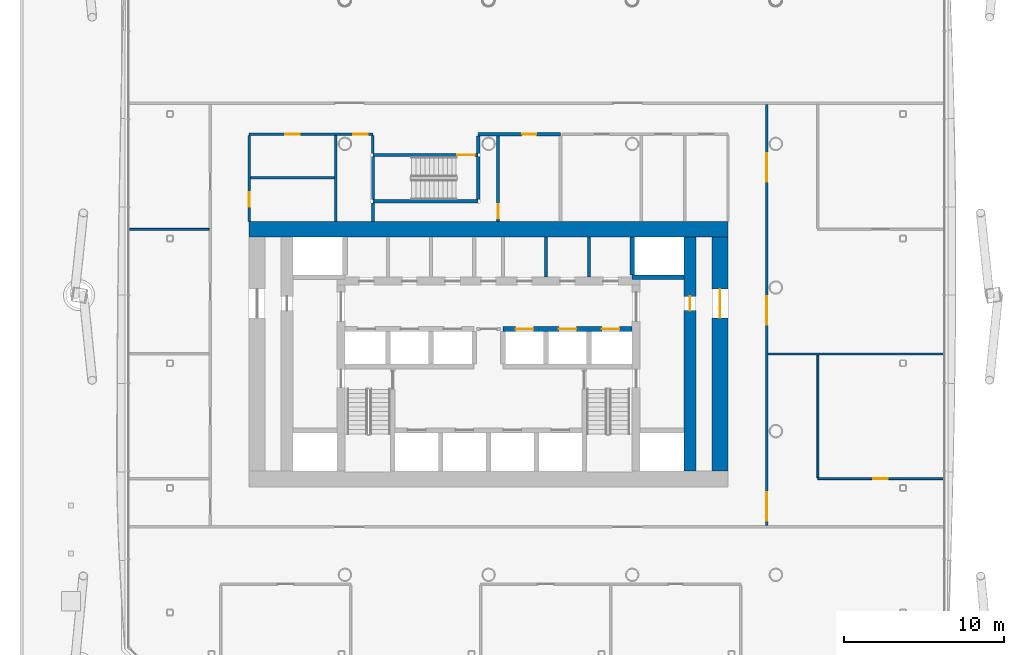
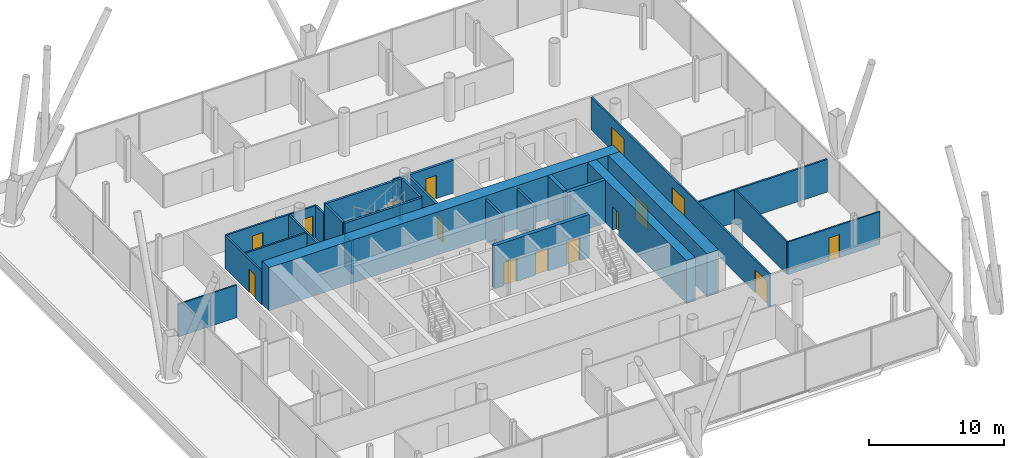
# One storey, part 15 of 23: 26 walls, 15 doors, 15 openings.
"""IFC4 building model written with IfcOpenShell, lengths in metres."""

import ifcopenshell
import ifcopenshell.guid

model = None  # the IFC model being written
_history = None  # IfcOwnerHistory: only IFC2X3 demands one
_inside = {}  # id of a spatial element -> (the spatial element, [elements in it])
_under = {}  # id of a project, library or spatial element -> (it, [spatial elements below it])
_declared = {}  # id of a project -> (the project, [libraries it declares])
_typed = {}  # id of a type object -> (the type object, [elements of that type])
_made_of = {}  # id of a material, layer set ... -> (it, [elements and type objects made of it])


def new_model(schema):
    """Start an empty IFC model of exactly this schema.

    Asked for "IFC4X3", IfcOpenShell would pick the latest addendum, in which some entities
    have other attributes; the version numbers below select the first issue.
    IFC2X3 requires an IfcOwnerHistory on every rooted entity: one is made here for all.
    """
    global model, _history
    if schema == "IFC4X3":
        model = ifcopenshell.file(schema_version=(4, 3, 0, 0))
    else:
        model = ifcopenshell.file(schema=schema)
    _inside.clear()
    _under.clear()
    _declared.clear()
    _typed.clear()
    _made_of.clear()
    _history = None
    if model.schema == "IFC2X3":
        org = make("IfcOrganization", Name="unknown")
        user = make(
            "IfcPersonAndOrganization",
            ThePerson=make("IfcPerson", FamilyName="unknown"),
            TheOrganization=org,
        )
        app = make(
            "IfcApplication",
            ApplicationDeveloper=org,
            Version="unknown",
            ApplicationFullName="unknown",
            ApplicationIdentifier="unknown",
        )
        _history = make(
            "IfcOwnerHistory",
            OwningUser=user,
            OwningApplication=app,
            ChangeAction="ADDED",
            CreationDate=0,
        )
    return model


def make(cls, **values):
    """One entity of the class cls with the attributes given. An attribute that is None is left unset."""
    return model.create_entity(
        cls, **{name: value for name, value in values.items() if value is not None}
    )


def rooted(cls, **values):
    """An entity with a GlobalId (a new one), such as an element, a storey or a relation."""
    return make(cls, GlobalId=ifcopenshell.guid.new(), OwnerHistory=_history, **values)


def si_unit(unit_type, name, prefix=None):
    """IfcSIUnit, for example si_unit("LENGTHUNIT", "METRE", prefix="MILLI")."""
    return make("IfcSIUnit", UnitType=unit_type, Prefix=prefix, Name=name)


def assignment(units):
    """IfcUnitAssignment: the units of a project."""
    return None if units is None else make("IfcUnitAssignment", Units=units)


def point(xyz):
    """IfcCartesianPoint."""
    return None if xyz is None else make("IfcCartesianPoint", Coordinates=xyz)


def direction(xyz):
    """IfcDirection."""
    return None if xyz is None else make("IfcDirection", DirectionRatios=xyz)


def frame(location, z_axis=None, x_axis=None):
    """IfcAxis2Placement3D, a coordinate frame: its origin and axes. An axis left out is left unset."""
    return make(
        "IfcAxis2Placement3D",
        Location=point(location),
        Axis=direction(z_axis),
        RefDirection=direction(x_axis),
    )


def frame_2d(location, x_axis=None):
    """IfcAxis2Placement2D, a coordinate frame in the plane: its origin and x axis."""
    return make(
        "IfcAxis2Placement2D", Location=point(location), RefDirection=direction(x_axis)
    )


def origin():
    """The frame at (0, 0, 0) with its axes left unset."""
    return frame((0.0, 0.0, 0.0))


def place(relative_to, where):
    """IfcLocalPlacement: puts the frame where relative to a parent placement (None: the world)."""
    return make(
        "IfcLocalPlacement", PlacementRelTo=relative_to, RelativePlacement=where
    )


def context(
    kind, dimensions, precision=None, world=None, true_north=None, identifier=None
):
    """IfcGeometricRepresentationContext, for example the 3D "Model" context."""
    return make(
        "IfcGeometricRepresentationContext",
        ContextIdentifier=identifier,
        ContextType=kind,
        CoordinateSpaceDimension=dimensions,
        Precision=precision,
        WorldCoordinateSystem=world,
        TrueNorth=true_north,
    )


def subcontext(parent, identifier, kind, view, scale=None):
    """IfcGeometricRepresentationSubContext, for example "Body" below "Model"."""
    return make(
        "IfcGeometricRepresentationSubContext",
        ContextIdentifier=identifier,
        ContextType=kind,
        ParentContext=parent,
        TargetScale=scale,
        TargetView=view,
    )


def project(units=None, contexts=None):
    """IfcProject with its units and contexts."""
    return rooted(
        "IfcProject",
        Name="project",
        RepresentationContexts=contexts,
        UnitsInContext=assignment(units),
    )


def spatial(cls, under=None, at=None, **own):
    """A site, building, storey or space (cls), placed at a placement, below another one or the project."""
    s = rooted(cls, ObjectPlacement=at, **own)
    if under is not None:
        _under.setdefault(under.id(), (under, []))[1].append(s)
    return s


def profile(cls, at=None, kind="AREA", **sizes):
    """A parametric profile (cls). Its sizes go by their IFC names, for example OverallWidth=200.0."""
    return make(cls, ProfileType=kind, Position=at, **sizes)


def rectangle(**sizes):
    """IfcRectangleProfileDef."""
    return profile("IfcRectangleProfileDef", **sizes)


def extrude(swept, where, along, depth):
    """IfcExtrudedAreaSolid: the profile swept, set in the frame where, extruded along a direction by depth."""
    return make(
        "IfcExtrudedAreaSolid",
        SweptArea=swept,
        Position=where,
        ExtrudedDirection=direction(along),
        Depth=depth,
    )


def shape(context_of_items, identifier, shape_type, items):
    """IfcShapeRepresentation: the items that make up one representation, for example the "Body"."""
    return make(
        "IfcShapeRepresentation",
        ContextOfItems=context_of_items,
        RepresentationIdentifier=identifier,
        RepresentationType=shape_type,
        Items=items,
    )


def material(Name=None, Category=None):
    """IfcMaterial."""
    return make("IfcMaterial", Name=Name, Category=Category)


def layer(
    of_material, thickness, ventilated=None, Name=None, Category=None, Priority=None
):
    """IfcMaterialLayer: one layer of a wall or slab, of a material (None: an air gap)."""
    return make(
        "IfcMaterialLayer",
        Material=of_material,
        LayerThickness=thickness,
        IsVentilated=ventilated,
        Name=Name,
        Category=Category,
        Priority=Priority,
    )


def layer_set(layers, Name=None):
    """IfcMaterialLayerSet."""
    return make("IfcMaterialLayerSet", MaterialLayers=layers, LayerSetName=Name)


def made_of(thing, what):
    """Note that an element or type object is made of a material, layer set ...; save() writes the relation."""
    if what is not None:
        _made_of.setdefault(what.id(), (what, []))[1].append(thing)
    return thing


def type_object(cls, material=None, **own):
    """A type object (cls), such as IfcWallType, which elements share."""
    return made_of(rooted(cls, **own), material)


def element(
    cls,
    number,
    at=None,
    inside=None,
    cuts=None,
    type_object=None,
    material=None,
    context=None,
    identifier="Body",
    shape_type=None,
    held_by="IfcProductDefinitionShape",
    body=None,
    shapes=None,
    **own,
):
    """One element of the class cls, such as IfcWall. Its Tag is "e" and its number.

    at: its placement. inside: the storey or other place that contains it. cuts: it is an
    opening in that element (IfcRelVoidsElement). A single representation is given by context,
    identifier, shape_type and body (its items); several are given by shapes. held_by: the class
    of the entity that holds the representations. save() writes the other relations.
    """
    e = rooted(cls, Tag="e%d" % number, ObjectPlacement=at, **own)
    if body is not None:
        shapes = [shape(context, identifier, shape_type, body)]
    if shapes is not None:
        e.Representation = make(held_by, Representations=shapes)
    if inside is not None:
        _inside.setdefault(inside.id(), (inside, []))[1].append(e)
    if cuts is not None:
        rooted(
            "IfcRelVoidsElement", RelatingBuildingElement=cuts, RelatedOpeningElement=e
        )
    if type_object is not None:
        _typed.setdefault(type_object.id(), (type_object, []))[1].append(e)
    return made_of(e, material)


def fill(opening, filler):
    """IfcRelFillsElement: the door or window that sits in an opening."""
    return rooted(
        "IfcRelFillsElement",
        RelatingOpeningElement=opening,
        RelatedBuildingElement=filler,
    )


def aggregate(whole, parts):
    """IfcRelAggregates: a whole, such as a stair, and the parts it consists of."""
    return rooted("IfcRelAggregates", RelatingObject=whole, RelatedObjects=parts)


def save(model, path):
    """Write the relations noted so far, then the file.

    IfcRelAggregates (storeys below a building ...), IfcRelContainedInSpatialStructure (elements
    in a storey), IfcRelDefinesByType, IfcRelAssociatesMaterial and IfcRelDeclares: one each for
    every whole, place, type object, material and project.
    """
    for whole, parts in _under.values():
        aggregate(whole, parts)
    for where, things in _inside.values():
        rooted(
            "IfcRelContainedInSpatialStructure",
            RelatedElements=things,
            RelatingStructure=where,
        )
    for kind, things in _typed.values():
        rooted("IfcRelDefinesByType", RelatedObjects=things, RelatingType=kind)
    for what, things in _made_of.values():
        rooted("IfcRelAssociatesMaterial", RelatedObjects=things, RelatingMaterial=what)
    for by, libraries in _declared.values():
        rooted("IfcRelDeclares", RelatingContext=by, RelatedDefinitions=libraries)
    model.write(path)


model = new_model("IFC4")

# Units and contexts
model_context = context("Model", 3, precision=1e-05, world=origin(), true_north=direction((0.0, 1.0)))
body_context = subcontext(model_context, "Body", "Model", "MODEL_VIEW")
ifc_project = project(units=[si_unit("LENGTHUNIT", "METRE"), si_unit("AREAUNIT", "SQUARE_METRE"), si_unit("VOLUMEUNIT", "CUBIC_METRE"), si_unit("PLANEANGLEUNIT", "RADIAN"), si_unit("MASSUNIT", "GRAM", prefix="KILO")], contexts=[model_context])

# Site, building, storey
site_placement = place(None, origin())
site = spatial("IfcSite", under=ifc_project, at=site_placement, CompositionType="ELEMENT")
building_placement = place(site_placement, origin())
building = spatial("IfcBuilding", under=site, at=building_placement, Name="Tskaro Facet Tower", CompositionType="ELEMENT")
storey_placement = place(building_placement, frame((0.0, 0.0, 62.10009765625)))
storey = spatial("IfcBuildingStorey", under=building, at=storey_placement, Name="L14", CompositionType="ELEMENT", Elevation=62.10009765625)

# Wall, openings, doors
ifc_material_1 = material(Name="Concrete C60/75", Category="concrete")
ifc_layer_1 = layer(ifc_material_1, 0.300048828125, Name="Concrete C60/75")
ifc_layer_set_1 = layer_set([ifc_layer_1], Name="Concrete C60/75")
wall_type_1 = type_object("IfcWallType", Name="CORE-SHAFT", PredefinedType="SHEAR", material=ifc_layer_set_1)
wall_1_placement = place(storey_placement, frame((0.89990234375, -2.60009765625, 0.0), z_axis=(0.0, 0.0, 1.0), x_axis=(1.0, 0.0, 0.0)))
wall_1 = element("IfcWall", 1, at=wall_1_placement, inside=storey, type_object=wall_type_1, Name="Shaft wall W015", PredefinedType="SHEAR", context=body_context, shape_type="SweptSolid", body=[
    extrude(rectangle(XDim=8.10009765625, YDim=0.300048828125, at=frame_2d((4.050048828125, 0.0))), origin(), (0.0, 0.0, 1.0), 3.89990234375),
])
opening_1_placement = place(wall_1_placement, frame((0.800048828125, 0.0, 0.0)))
opening_1 = element("IfcOpeningElement", 2, at=opening_1_placement, cuts=wall_1, Name="Opening LD-LR4", PredefinedType="OPENING", context=body_context, shape_type="SweptSolid", body=[
    extrude(rectangle(XDim=1.10009765625, YDim=2.10009765625, at=frame_2d((0.550048828125, 1.050048828125))), frame((0.0, 0.159912109375, 0.0), z_axis=(0.0, -1.0, 0.0), x_axis=(1.0, 0.0, 0.0)), (0.0, 0.0, 1.0), 0.320068359375),
])
opening_2_placement = place(wall_1_placement, frame((3.5, 0.0, 0.0)))
opening_2 = element("IfcOpeningElement", 3, at=opening_2_placement, cuts=wall_1, Name="Opening LD-LR5", PredefinedType="OPENING", context=body_context, shape_type="SweptSolid", body=[
    extrude(rectangle(XDim=1.10009765625, YDim=2.10009765625, at=frame_2d((0.550048828125, 1.050048828125))), frame((0.0, 0.159912109375, 0.0), z_axis=(0.0, -1.0, 0.0), x_axis=(1.0, 0.0, 0.0)), (0.0, 0.0, 1.0), 0.320068359375),
])
opening_3_placement = place(wall_1_placement, frame((6.199951171875, 0.0, 0.0)))
opening_3 = element("IfcOpeningElement", 4, at=opening_3_placement, cuts=wall_1, Name="Opening LD-LR6", PredefinedType="OPENING", context=body_context, shape_type="SweptSolid", body=[
    extrude(rectangle(XDim=1.10009765625, YDim=2.10009765625, at=frame_2d((0.550048828125, 1.050048828125))), frame((0.0, 0.159912109375, 0.0), z_axis=(0.0, -1.0, 0.0), x_axis=(1.0, 0.0, 0.0)), (0.0, 0.0, 1.0), 0.320068359375),
])
ifc_material_2 = material(Name="Stainless steel", Category="steel")
door_type_1 = type_object("IfcDoorType", Name="D-LANDING", OperationType="NOTDEFINED", PredefinedType="DOOR", material=ifc_material_2)
door_1_placement = place(opening_1_placement, origin())
door_1 = element("IfcDoor", 5, at=door_1_placement, inside=storey, type_object=door_type_1, Name="Landing door LR4", OperationType="DOUBLE_DOOR_SLIDING", OverallHeight=2.10009765625, OverallWidth=1.10009765625, PredefinedType="DOOR", context=body_context, shape_type="SweptSolid", body=[
    extrude(rectangle(XDim=1.10009765625, YDim=2.10009765625, at=frame_2d((0.550048828125, 1.050048828125))), frame((0.0, 0.02490234375, 0.0), z_axis=(0.0, -1.0, 0.0), x_axis=(1.0, 0.0, 0.0)), (0.0, 0.0, 1.0), 0.050048828125),
])
fill(opening_1, door_1)
door_2_placement = place(opening_2_placement, origin())
door_2 = element("IfcDoor", 6, at=door_2_placement, inside=storey, type_object=door_type_1, Name="Landing door LR5", OperationType="DOUBLE_DOOR_SLIDING", OverallHeight=2.10009765625, OverallWidth=1.10009765625, PredefinedType="DOOR", context=body_context, shape_type="SweptSolid", body=[
    extrude(rectangle(XDim=1.10009765625, YDim=2.10009765625, at=frame_2d((0.550048828125, 1.050048828125))), frame((0.0, 0.02490234375, 0.0), z_axis=(0.0, -1.0, 0.0), x_axis=(1.0, 0.0, 0.0)), (0.0, 0.0, 1.0), 0.050048828125),
])
fill(opening_2, door_2)
door_3_placement = place(opening_3_placement, origin())
door_3 = element("IfcDoor", 7, at=door_3_placement, inside=storey, type_object=door_type_1, Name="Landing door LR6", OperationType="DOUBLE_DOOR_SLIDING", OverallHeight=2.10009765625, OverallWidth=1.10009765625, PredefinedType="DOOR", context=body_context, shape_type="SweptSolid", body=[
    extrude(rectangle(XDim=1.10009765625, YDim=2.10009765625, at=frame_2d((0.550048828125, 1.050048828125))), frame((0.0, 0.02490234375, 0.0), z_axis=(0.0, -1.0, 0.0), x_axis=(1.0, 0.0, 0.0)), (0.0, 0.0, 1.0), 0.050048828125),
])
fill(opening_3, door_3)

# Walls
wall_2_placement = place(storey_placement, frame((12.25, 0.64990234375, 0.0), z_axis=(0.0, 0.0, 1.0), x_axis=(-1.0, 0.0, 0.0)))
element("IfcWall", 8, at=wall_2_placement, inside=storey, type_object=wall_type_1, Name="Shaft wall W017", PredefinedType="SHEAR", context=body_context, shape_type="SweptSolid", body=[
    extrude(rectangle(XDim=3.25, YDim=0.300048828125, at=frame_2d((1.625, 0.0))), origin(), (0.0, 0.0, 1.0), 3.89990234375),
])
wall_3_placement = place(storey_placement, frame((9.0, 0.800048828125, 0.0), z_axis=(0.0, 0.0, 1.0), x_axis=(0.0, 1.0, 0.0)))
element("IfcWall", 9, at=wall_3_placement, inside=storey, type_object=wall_type_1, Name="Shaft wall W064", PredefinedType="SHEAR", context=body_context, shape_type="SweptSolid", body=[
    extrude(rectangle(XDim=2.349853515625, YDim=0.300048828125, at=frame_2d((1.1748046875, 0.0))), origin(), (0.0, 0.0, 1.0), 3.89990234375),
])
ifc_material_3 = material(Name="Concrete C20/25", Category="concrete")
ifc_layer_2 = layer(ifc_material_3, 0.199951171875, Name="Concrete C20/25")
ifc_layer_set_2 = layer_set([ifc_layer_2], Name="Concrete C20/25")
wall_type_2 = type_object("IfcWallType", Name="CORE-WALL", PredefinedType="SOLIDWALL", material=ifc_layer_set_2)
for number, where, z_axis, x_axis, name in (
    (10, (3.60009765625, 0.64990234375, 0.0), (0.0, 0.0, 1.0), (0.0, 1.0, 0.0), "Core room wall W057"),
    (11, (6.300048828125, 0.64990234375, 0.0), (0.0, 0.0, 1.0), (0.0, 1.0, 0.0), "Core room wall W061"),
):
    element("IfcWall", number, at=place(storey_placement, frame(where, z_axis=z_axis, x_axis=x_axis)), inside=storey, type_object=wall_type_2, Name=name, PredefinedType="SOLIDWALL", context=body_context, shape_type="SweptSolid", body=[
        extrude(rectangle(XDim=2.5, YDim=0.199951171875, at=frame_2d((1.25, 0.0))), origin(), (0.0, 0.0, 1.0), 3.599853515625),
    ])
ifc_layer_3 = layer(ifc_material_1, 1.0, Name="Concrete C60/75")
ifc_layer_set_3 = layer_set([ifc_layer_3], Name="Concrete C60/75")
wall_type_3 = type_object("IfcWallType", Name="Core wall 1000", PredefinedType="SHEAR", material=ifc_layer_set_3)
wall_4_placement = place(storey_placement, frame((-15.0, 3.64990234375, 0.0), z_axis=(0.0, 0.0, 1.0), x_axis=(1.0, 0.0, 0.0)))
element("IfcWall", 12, at=wall_4_placement, inside=storey, type_object=wall_type_3, Name="Core wall CW-Z1N", PredefinedType="SHEAR", context=body_context, shape_type="SweptSolid", body=[
    extrude(rectangle(XDim=30.0, YDim=1.0, at=frame_2d((15.0, 0.0))), origin(), (0.0, 0.0, 1.0), 3.89990234375),
])

# Wall, opening, door
wall_5_placement = place(storey_placement, frame((14.5, -11.5, 0.0), z_axis=(0.0, 0.0, 1.0), x_axis=(0.0, 1.0, 0.0)))
wall_5 = element("IfcWall", 13, at=wall_5_placement, inside=storey, type_object=wall_type_3, Name="Core wall CW-Z1E", PredefinedType="SHEAR", context=body_context, shape_type="SweptSolid", body=[
    extrude(rectangle(XDim=14.64990234375, YDim=1.0, at=frame_2d((7.324951171875, 0.0))), origin(), (0.0, 0.0, 1.0), 3.89990234375),
])
opening_4_placement = place(wall_5_placement, frame((9.60009765625, 0.0, 0.0)))
opening_4 = element("IfcOpeningElement", 14, at=opening_4_placement, cuts=wall_5, Name="Opening T4-D18", PredefinedType="OPENING", context=body_context, shape_type="SweptSolid", body=[
    extrude(rectangle(XDim=1.800048828125, YDim=2.10009765625, at=frame_2d((0.89990234375, 1.050048828125))), frame((0.0, 0.510009765625, 0.0), z_axis=(0.0, -1.0, 0.0), x_axis=(1.0, 0.0, 0.0)), (0.0, 0.0, 1.0), 1.02001953125),
])
ifc_material_4 = material(Name="Steel", Category="steel")
door_type_2 = type_object("IfcDoorType", Name="D-CORE-PAIR", OperationType="NOTDEFINED", PredefinedType="DOOR", material=ifc_material_4)
door_4_placement = place(opening_4_placement, origin())
door_4 = element("IfcDoor", 15, at=door_4_placement, inside=storey, type_object=door_type_2, Name="Door T4-D18", OperationType="DOUBLE_DOOR_SINGLE_SWING", OverallHeight=2.10009765625, OverallWidth=1.800048828125, PredefinedType="DOOR", context=body_context, shape_type="SweptSolid", body=[
    extrude(rectangle(XDim=1.800048828125, YDim=2.10009765625, at=frame_2d((0.89990234375, 1.050048828125))), frame((0.0, 0.02490234375, 0.0), z_axis=(0.0, -1.0, 0.0), x_axis=(1.0, 0.0, 0.0)), (0.0, 0.0, 1.0), 0.050048828125),
])
fill(opening_4, door_4)

ifc_material_5 = material(Name="Concrete C50/60", Category="concrete")
ifc_layer_4 = layer(ifc_material_5, 0.75, Name="Concrete C50/60")
ifc_layer_set_4 = layer_set([ifc_layer_4], Name="Concrete C50/60")
wall_type_4 = type_object("IfcWallType", Name="Core wall 750", PredefinedType="SHEAR", material=ifc_layer_set_4)
wall_6_placement = place(storey_placement, frame((12.625, -11.5, 0.0), z_axis=(0.0, 0.0, 1.0), x_axis=(0.0, 1.0, 0.0)))
wall_6 = element("IfcWall", 16, at=wall_6_placement, inside=storey, type_object=wall_type_4, Name="Core wall CW-Z2E", PredefinedType="SHEAR", context=body_context, shape_type="SweptSolid", body=[
    extrude(rectangle(XDim=14.64990234375, YDim=0.75, at=frame_2d((7.324951171875, 0.0))), origin(), (0.0, 0.0, 1.0), 3.89990234375),
])
opening_5_placement = place(wall_6_placement, frame((10.050048828125, 0.0, 0.0)))
opening_5 = element("IfcOpeningElement", 17, at=opening_5_placement, cuts=wall_6, Name="Opening T4-D17", PredefinedType="OPENING", context=body_context, shape_type="SweptSolid", body=[
    extrude(rectangle(XDim=0.89990234375, YDim=2.10009765625, at=frame_2d((0.449951171875, 1.050048828125))), frame((0.0, 0.385009765625, 0.0), z_axis=(0.0, -1.0, 0.0), x_axis=(1.0, 0.0, 0.0)), (0.0, 0.0, 1.0), 0.77001953125),
])
ifc_material_6 = material(Name="Timber", Category="wood")
door_type_3 = type_object("IfcDoorType", Name="D-ROOM", OperationType="NOTDEFINED", PredefinedType="DOOR", material=ifc_material_6)
door_5_placement = place(opening_5_placement, origin())
door_5 = element("IfcDoor", 18, at=door_5_placement, inside=storey, type_object=door_type_3, Name="Door T4-D17", OperationType="SINGLE_SWING_LEFT", OverallHeight=2.10009765625, OverallWidth=0.89990234375, PredefinedType="DOOR", context=body_context, shape_type="SweptSolid", body=[
    extrude(rectangle(XDim=0.89990234375, YDim=2.10009765625, at=frame_2d((0.449951171875, 1.050048828125))), frame((0.0, 0.02490234375, 0.0), z_axis=(0.0, -1.0, 0.0), x_axis=(1.0, 0.0, 0.0)), (0.0, 0.0, 1.0), 0.050048828125),
])
fill(opening_5, door_5)

ifc_material_7 = material(Name="Gypsum board on steel studs", Category="steel")
ifc_layer_5 = layer(ifc_material_7, 0.125, Name="Gypsum board on steel studs")
ifc_layer_set_5 = layer_set([ifc_layer_5], Name="Gypsum board on steel studs")
wall_type_5 = type_object("IfcWallType", Name="PART", PredefinedType="PARTITIONING", material=ifc_layer_set_5)
wall_7_placement = place(storey_placement, frame((20.625, -11.972900390625, 0.0), z_axis=(0.0, 0.0, 1.0), x_axis=(1.0, 0.0, 0.0)))
wall_7 = element("IfcWall", 19, at=wall_7_placement, inside=storey, type_object=wall_type_5, Name="Partition W005", PredefinedType="PARTITIONING", context=body_context, shape_type="SweptSolid", body=[
    extrude(rectangle(XDim=7.884033203125, YDim=0.125, at=frame_2d((3.94189453125, 0.0))), origin(), (0.0, 0.0, 1.0), 2.9599609375),
])
opening_6_placement = place(wall_7_placement, frame((3.491943359375, 0.0, 0.0)))
opening_6 = element("IfcOpeningElement", 20, at=opening_6_placement, cuts=wall_7, Name="Opening T4-D08", PredefinedType="OPENING", context=body_context, shape_type="SweptSolid", body=[
    extrude(rectangle(XDim=0.89990234375, YDim=2.10009765625, at=frame_2d((0.449951171875, 1.050048828125))), frame((0.0, 0.072509765625, 0.0), z_axis=(0.0, -1.0, 0.0), x_axis=(1.0, 0.0, 0.0)), (0.0, 0.0, 1.0), 0.14501953125),
])
door_6_placement = place(opening_6_placement, origin())
door_6 = element("IfcDoor", 21, at=door_6_placement, inside=storey, type_object=door_type_3, Name="Door T4-D08", OperationType="SINGLE_SWING_LEFT", OverallHeight=2.10009765625, OverallWidth=0.89990234375, PredefinedType="DOOR", context=body_context, shape_type="SweptSolid", body=[
    extrude(rectangle(XDim=0.89990234375, YDim=2.10009765625, at=frame_2d((0.449951171875, 1.050048828125))), frame((0.0, 0.02490234375, 0.0), z_axis=(0.0, -1.0, 0.0), x_axis=(1.0, 0.0, 0.0)), (0.0, 0.0, 1.0), 0.050048828125),
])
fill(opening_6, door_6)

# Walls
wall_8_placement = place(storey_placement, frame((-22.509033203125, 3.64794921875, 0.0), z_axis=(0.0, 0.0, 1.0), x_axis=(1.0, 0.0, 0.0)))
element("IfcWall", 22, at=wall_8_placement, inside=storey, type_object=wall_type_5, Name="Partition W018", PredefinedType="PARTITIONING", context=body_context, shape_type="SweptSolid", body=[
    extrude(rectangle(XDim=5.009033203125, YDim=0.125, at=frame_2d((2.50439453125, 0.0))), origin(), (0.0, 0.0, 1.0), 2.9599609375),
])
wall_9_placement = place(storey_placement, frame((20.625, -11.910400390625, 0.0), z_axis=(0.0, 0.0, 1.0), x_axis=(0.0, 1.0, 0.0)))
element("IfcWall", 23, at=wall_9_placement, inside=storey, type_object=wall_type_5, Name="Partition W071", PredefinedType="PARTITIONING", context=body_context, shape_type="SweptSolid", body=[
    extrude(rectangle(XDim=7.67333984375, YDim=0.125, at=frame_2d((3.836669921875, 0.0))), origin(), (0.0, 0.0, 1.0), 2.9599609375),
])
ifc_layer_6 = layer(ifc_material_7, 0.14990234375, Name="Gypsum board on steel studs")
ifc_layer_set_6 = layer_set([ifc_layer_6], Name="Gypsum board on steel studs")
wall_type_6 = type_object("IfcWallType", Name="PART-CORR", PredefinedType="PARTITIONING", material=ifc_layer_set_6)
wall_10_placement = place(storey_placement, frame((17.5, -4.162109375, 0.0), z_axis=(0.0, 0.0, 1.0), x_axis=(1.0, 0.0, 0.0)))
element("IfcWall", 24, at=wall_10_placement, inside=storey, type_object=wall_type_6, Name="Corridor wall W012", PredefinedType="PARTITIONING", context=body_context, shape_type="SweptSolid", body=[
    extrude(rectangle(XDim=11.009033203125, YDim=0.14990234375, at=frame_2d((5.50439453125, 0.0))), origin(), (0.0, 0.0, 1.0), 2.9599609375),
])
wall_11_placement = place(storey_placement, frame((-14.925048828125, 6.8779296875, 0.0), z_axis=(0.0, 0.0, 1.0), x_axis=(1.0, 0.0, 0.0)))
element("IfcWall", 25, at=wall_11_placement, inside=storey, type_object=wall_type_6, Name="Corridor wall W021", PredefinedType="PARTITIONING", context=body_context, shape_type="SweptSolid", body=[
    extrude(rectangle(XDim=5.275146484375, YDim=0.14990234375, at=frame_2d((2.6376953125, 0.0))), origin(), (0.0, 0.0, 1.0), 2.9599609375),
])

# Wall, openings, doors
wall_12_placement = place(storey_placement, frame((-7.25, 9.60498046875, 0.0), z_axis=(0.0, 0.0, 1.0), x_axis=(-1.0, 0.0, 0.0)))
wall_12 = element("IfcWall", 26, at=wall_12_placement, inside=storey, type_object=wall_type_6, Name="Corridor wall W023", PredefinedType="PARTITIONING", context=body_context, shape_type="SweptSolid", body=[
    extrude(rectangle(XDim=7.75, YDim=0.14990234375, at=frame_2d((3.875, 0.0))), origin(), (0.0, 0.0, 1.0), 2.9599609375),
])
opening_7_placement = place(wall_12_placement, frame((0.3125, 0.0, 0.0)))
opening_7 = element("IfcOpeningElement", 27, at=opening_7_placement, cuts=wall_12, Name="Opening T4-D35", PredefinedType="OPENING", context=body_context, shape_type="SweptSolid", body=[
    extrude(rectangle(XDim=0.89990234375, YDim=2.10009765625, at=frame_2d((0.449951171875, 1.050048828125))), frame((0.0, 0.0849609375, 0.0), z_axis=(0.0, -1.0, 0.0), x_axis=(1.0, 0.0, 0.0)), (0.0, 0.0, 1.0), 0.169921875),
])
opening_8_placement = place(wall_12_placement, frame((4.58740234375, 0.0, 0.0)))
opening_8 = element("IfcOpeningElement", 28, at=opening_8_placement, cuts=wall_12, Name="Opening T4-D34", PredefinedType="OPENING", context=body_context, shape_type="SweptSolid", body=[
    extrude(rectangle(XDim=0.89990234375, YDim=2.10009765625, at=frame_2d((0.449951171875, 1.050048828125))), frame((0.0, 0.0849609375, 0.0), z_axis=(0.0, -1.0, 0.0), x_axis=(1.0, 0.0, 0.0)), (0.0, 0.0, 1.0), 0.169921875),
])
door_type_4 = type_object("IfcDoorType", Name="D-RISER", OperationType="NOTDEFINED", PredefinedType="DOOR", material=ifc_material_4)
door_7_placement = place(opening_7_placement, origin())
door_7 = element("IfcDoor", 29, at=door_7_placement, inside=storey, type_object=door_type_4, Name="Door T4-D35", OperationType="SINGLE_SWING_RIGHT", OverallHeight=2.10009765625, OverallWidth=0.89990234375, PredefinedType="DOOR", context=body_context, shape_type="SweptSolid", body=[
    extrude(rectangle(XDim=0.89990234375, YDim=2.10009765625, at=frame_2d((0.449951171875, 1.050048828125))), frame((0.0, 0.02490234375, 0.0), z_axis=(0.0, -1.0, 0.0), x_axis=(1.0, 0.0, 0.0)), (0.0, 0.0, 1.0), 0.050048828125),
])
fill(opening_7, door_7)
door_8_placement = place(opening_8_placement, origin())
door_8 = element("IfcDoor", 30, at=door_8_placement, inside=storey, type_object=door_type_3, Name="Door T4-D34", OperationType="SINGLE_SWING_RIGHT", OverallHeight=2.10009765625, OverallWidth=0.89990234375, PredefinedType="DOOR", context=body_context, shape_type="SweptSolid", body=[
    extrude(rectangle(XDim=0.89990234375, YDim=2.10009765625, at=frame_2d((0.449951171875, 1.050048828125))), frame((0.0, 0.02490234375, 0.0), z_axis=(0.0, -1.0, 0.0), x_axis=(1.0, 0.0, 0.0)), (0.0, 0.0, 1.0), 0.050048828125),
])
fill(opening_8, door_8)

# Wall, opening, door
wall_13_placement = place(storey_placement, frame((-15.0, 9.530029296875, 0.0), z_axis=(0.0, 0.0, 1.0), x_axis=(0.0, -1.0, 0.0)))
wall_13 = element("IfcWall", 31, at=wall_13_placement, inside=storey, type_object=wall_type_6, Name="Corridor wall W031", PredefinedType="PARTITIONING", context=body_context, shape_type="SweptSolid", body=[
    extrude(rectangle(XDim=5.380126953125, YDim=0.14990234375, at=frame_2d((2.68994140625, 0.0))), origin(), (0.0, 0.0, 1.0), 2.9599609375),
])
opening_9_placement = place(wall_13_placement, frame((3.56591796875, 0.0, 0.0)))
opening_9 = element("IfcOpeningElement", 32, at=opening_9_placement, cuts=wall_13, Name="Opening T4-D31", PredefinedType="OPENING", context=body_context, shape_type="SweptSolid", body=[
    extrude(rectangle(XDim=0.89990234375, YDim=2.10009765625, at=frame_2d((0.449951171875, 1.050048828125))), frame((0.0, 0.0849609375, 0.0), z_axis=(0.0, -1.0, 0.0), x_axis=(1.0, 0.0, 0.0)), (0.0, 0.0, 1.0), 0.169921875),
])
door_9_placement = place(opening_9_placement, origin())
door_9 = element("IfcDoor", 33, at=door_9_placement, inside=storey, type_object=door_type_3, Name="Door T4-D31", OperationType="SINGLE_SWING_RIGHT", OverallHeight=2.10009765625, OverallWidth=0.89990234375, PredefinedType="DOOR", context=body_context, shape_type="SweptSolid", body=[
    extrude(rectangle(XDim=0.89990234375, YDim=2.10009765625, at=frame_2d((0.449951171875, 1.050048828125))), frame((0.0, 0.02490234375, 0.0), z_axis=(0.0, -1.0, 0.0), x_axis=(1.0, 0.0, 0.0)), (0.0, 0.0, 1.0), 0.050048828125),
])
fill(opening_9, door_9)

# Walls
wall_14_placement = place(storey_placement, frame((-9.574951171875, 4.14990234375, 0.0), z_axis=(0.0, 0.0, 1.0), x_axis=(0.0, 1.0, 0.0)))
element("IfcWall", 34, at=wall_14_placement, inside=storey, type_object=wall_type_6, Name="Corridor wall W032", PredefinedType="PARTITIONING", context=body_context, shape_type="SweptSolid", body=[
    extrude(rectangle(XDim=5.380126953125, YDim=0.14990234375, at=frame_2d((2.68994140625, 0.0))), origin(), (0.0, 0.0, 1.0), 2.9599609375),
])
wall_15_placement = place(storey_placement, frame((-7.25, 8.39990234375, 0.0), z_axis=(0.0, 0.0, 1.0), x_axis=(0.0, 1.0, 0.0)))
element("IfcWall", 35, at=wall_15_placement, inside=storey, type_object=wall_type_6, Name="Corridor wall W038", PredefinedType="PARTITIONING", context=body_context, shape_type="SweptSolid", body=[
    extrude(rectangle(XDim=1.130126953125, YDim=0.14990234375, at=frame_2d((0.56494140625, 0.0))), origin(), (0.0, 0.0, 1.0), 2.9599609375),
])

# Wall, openings, doors
wall_16_placement = place(storey_placement, frame((17.425048828125, -14.925048828125, 0.0), z_axis=(0.0, 0.0, 1.0), x_axis=(0.0, 1.0, 0.0)))
wall_16 = element("IfcWall", 36, at=wall_16_placement, inside=storey, type_object=wall_type_6, Name="Corridor wall W070", PredefinedType="PARTITIONING", context=body_context, shape_type="SweptSolid", body=[
    extrude(rectangle(XDim=26.405029296875, YDim=0.14990234375, at=frame_2d((13.20263671875, 0.0))), origin(), (0.0, 0.0, 1.0), 2.9599609375),
])
opening_10_placement = place(wall_16_placement, frame((0.3125, 0.0, 0.0)))
opening_10 = element("IfcOpeningElement", 37, at=opening_10_placement, cuts=wall_16, Name="Opening T4-D07", PredefinedType="OPENING", context=body_context, shape_type="SweptSolid", body=[
    extrude(rectangle(XDim=1.800048828125, YDim=2.10009765625, at=frame_2d((0.89990234375, 1.050048828125))), frame((0.0, 0.0849609375, 0.0), z_axis=(0.0, -1.0, 0.0), x_axis=(1.0, 0.0, 0.0)), (0.0, 0.0, 1.0), 0.169921875),
])
opening_11_placement = place(wall_16_placement, frame((12.592041015625, 0.0, 0.0)))
opening_11 = element("IfcOpeningElement", 38, at=opening_11_placement, cuts=wall_16, Name="Opening T4-D12", PredefinedType="OPENING", context=body_context, shape_type="SweptSolid", body=[
    extrude(rectangle(XDim=1.800048828125, YDim=2.10009765625, at=frame_2d((0.89990234375, 1.050048828125))), frame((0.0, 0.0849609375, 0.0), z_axis=(0.0, -1.0, 0.0), x_axis=(1.0, 0.0, 0.0)), (0.0, 0.0, 1.0), 0.169921875),
])
opening_12_placement = place(wall_16_placement, frame((21.551025390625, 0.0, 0.0)))
opening_12 = element("IfcOpeningElement", 39, at=opening_12_placement, cuts=wall_16, Name="Opening T4-D33", PredefinedType="OPENING", context=body_context, shape_type="SweptSolid", body=[
    extrude(rectangle(XDim=1.800048828125, YDim=2.10009765625, at=frame_2d((0.89990234375, 1.050048828125))), frame((0.0, 0.0849609375, 0.0), z_axis=(0.0, -1.0, 0.0), x_axis=(1.0, 0.0, 0.0)), (0.0, 0.0, 1.0), 0.169921875),
])
ifc_material_8 = material(Name="Glass", Category="glass")
door_type_5 = type_object("IfcDoorType", Name="D-ENTRY-PAIR", OperationType="NOTDEFINED", PredefinedType="DOOR", material=ifc_material_8)
door_10_placement = place(opening_10_placement, origin())
door_10 = element("IfcDoor", 40, at=door_10_placement, inside=storey, type_object=door_type_5, Name="Door T4-D07", OperationType="DOUBLE_DOOR_SINGLE_SWING", OverallHeight=2.10009765625, OverallWidth=1.800048828125, PredefinedType="DOOR", context=body_context, shape_type="SweptSolid", body=[
    extrude(rectangle(XDim=1.800048828125, YDim=2.10009765625, at=frame_2d((0.89990234375, 1.050048828125))), frame((0.0, 0.02490234375, 0.0), z_axis=(0.0, -1.0, 0.0), x_axis=(1.0, 0.0, 0.0)), (0.0, 0.0, 1.0), 0.050048828125),
])
fill(opening_10, door_10)
door_11_placement = place(opening_11_placement, origin())
door_11 = element("IfcDoor", 41, at=door_11_placement, inside=storey, type_object=door_type_5, Name="Door T4-D12", OperationType="DOUBLE_DOOR_SINGLE_SWING", OverallHeight=2.10009765625, OverallWidth=1.800048828125, PredefinedType="DOOR", context=body_context, shape_type="SweptSolid", body=[
    extrude(rectangle(XDim=1.800048828125, YDim=2.10009765625, at=frame_2d((0.89990234375, 1.050048828125))), frame((0.0, 0.02490234375, 0.0), z_axis=(0.0, -1.0, 0.0), x_axis=(1.0, 0.0, 0.0)), (0.0, 0.0, 1.0), 0.050048828125),
])
fill(opening_11, door_11)
door_12_placement = place(opening_12_placement, origin())
door_12 = element("IfcDoor", 42, at=door_12_placement, inside=storey, type_object=door_type_5, Name="Door T4-D33", OperationType="DOUBLE_DOOR_SINGLE_SWING", OverallHeight=2.10009765625, OverallWidth=1.800048828125, PredefinedType="DOOR", context=body_context, shape_type="SweptSolid", body=[
    extrude(rectangle(XDim=1.800048828125, YDim=2.10009765625, at=frame_2d((0.89990234375, 1.050048828125))), frame((0.0, 0.02490234375, 0.0), z_axis=(0.0, -1.0, 0.0), x_axis=(1.0, 0.0, 0.0)), (0.0, 0.0, 1.0), 0.050048828125),
])
fill(opening_12, door_12)

# Wall
ifc_layer_7 = layer(ifc_material_1, 0.199951171875, Name="Concrete C60/75")
ifc_layer_set_7 = layer_set([ifc_layer_7], Name="Concrete C60/75")
wall_type_7 = type_object("IfcWallType", Name="STAIR-WALL", PredefinedType="SHEAR", material=ifc_layer_set_7)
wall_17_placement = place(storey_placement, frame((-7.25, 5.39990234375, 0.0), z_axis=(0.0, 0.0, 1.0), x_axis=(1.0, 0.0, 0.0)))
element("IfcWall", 43, at=wall_17_placement, inside=storey, type_object=wall_type_7, Name="Stair wall W020", PredefinedType="SHEAR", context=body_context, shape_type="SweptSolid", body=[
    extrude(rectangle(XDim=6.60009765625, YDim=0.199951171875, at=frame_2d((3.300048828125, 0.0))), origin(), (0.0, 0.0, 1.0), 3.89990234375),
])

# Wall, opening, door
wall_18_placement = place(storey_placement, frame((-0.64990234375, 8.300048828125, 0.0), z_axis=(0.0, 0.0, 1.0), x_axis=(-1.0, 0.0, 0.0)))
wall_18 = element("IfcWall", 44, at=wall_18_placement, inside=storey, type_object=wall_type_7, Name="Stair wall W022", PredefinedType="SHEAR", context=body_context, shape_type="SweptSolid", body=[
    extrude(rectangle(XDim=6.60009765625, YDim=0.199951171875, at=frame_2d((3.300048828125, 0.0))), origin(), (0.0, 0.0, 1.0), 3.89990234375),
])
opening_13_placement = place(wall_18_placement, frame((0.199951171875, 0.0, 0.0)))
opening_13 = element("IfcOpeningElement", 45, at=opening_13_placement, cuts=wall_18, Name="Opening ST-3-D1", PredefinedType="OPENING", context=body_context, shape_type="SweptSolid", body=[
    extrude(rectangle(XDim=1.10009765625, YDim=2.10009765625, at=frame_2d((0.550048828125, 1.050048828125))), frame((0.0, 0.10986328125, 0.0), z_axis=(0.0, -1.0, 0.0), x_axis=(1.0, 0.0, 0.0)), (0.0, 0.0, 1.0), 0.219970703125),
])
door_type_6 = type_object("IfcDoorType", Name="D-STAIR", OperationType="NOTDEFINED", PredefinedType="DOOR", material=ifc_material_4)
door_13_placement = place(opening_13_placement, origin())
door_13 = element("IfcDoor", 46, at=door_13_placement, inside=storey, type_object=door_type_6, Name="Stair door 3", OperationType="SINGLE_SWING_RIGHT", OverallHeight=2.10009765625, OverallWidth=1.10009765625, PredefinedType="DOOR", context=body_context, shape_type="SweptSolid", body=[
    extrude(rectangle(XDim=1.10009765625, YDim=2.10009765625, at=frame_2d((0.550048828125, 1.050048828125))), frame((0.0, 0.02490234375, 0.0), z_axis=(0.0, -1.0, 0.0), x_axis=(1.0, 0.0, 0.0)), (0.0, 0.0, 1.0), 0.050048828125),
])
fill(opening_13, door_13)

# Walls
for number, where, z_axis, x_axis, name in (
    (47, (-7.25, 5.5, 0.0), (0.0, 0.0, 1.0), (0.0, 1.0, 0.0), "Stair wall W037"),
    (48, (-0.64990234375, 5.5, 0.0), (0.0, 0.0, 1.0), (0.0, 1.0, 0.0), "Stair wall W047"),
):
    element("IfcWall", number, at=place(storey_placement, frame(where, z_axis=z_axis, x_axis=x_axis)), inside=storey, type_object=wall_type_7, Name=name, PredefinedType="SHEAR", context=body_context, shape_type="SweptSolid", body=[
        extrude(rectangle(XDim=2.699951171875, YDim=0.199951171875, at=frame_2d((1.35009765625, 0.0))), origin(), (0.0, 0.0, 1.0), 3.89990234375),
    ])

# Wall, opening, door
ifc_layer_8 = layer(ifc_material_3, 0.199951171875, Name="Concrete C20/25")
ifc_layer_set_8 = layer_set([ifc_layer_8], Name="Concrete C20/25")
wall_type_8 = type_object("IfcWallType", Name="WALL-RISER", PredefinedType="SOLIDWALL", material=ifc_layer_set_8)
wall_19_placement = place(storey_placement, frame((4.5, 9.60498046875, 0.0), z_axis=(0.0, 0.0, 1.0), x_axis=(-1.0, 0.0, 0.0)))
wall_19 = element("IfcWall", 49, at=wall_19_placement, inside=storey, type_object=wall_type_8, Name="Riser room wall W024", PredefinedType="SOLIDWALL", context=body_context, shape_type="SweptSolid", body=[
    extrude(rectangle(XDim=5.14990234375, YDim=0.199951171875, at=frame_2d((2.574951171875, 0.0))), origin(), (0.0, 0.0, 1.0), 2.9599609375),
])
opening_14_placement = place(wall_19_placement, frame((1.5, 0.0, 0.0)))
opening_14 = element("IfcOpeningElement", 50, at=opening_14_placement, cuts=wall_19, Name="Opening T4-D36", PredefinedType="OPENING", context=body_context, shape_type="SweptSolid", body=[
    extrude(rectangle(XDim=0.89990234375, YDim=2.10009765625, at=frame_2d((0.449951171875, 1.050048828125))), frame((0.0, 0.10986328125, 0.0), z_axis=(0.0, -1.0, 0.0), x_axis=(1.0, 0.0, 0.0)), (0.0, 0.0, 1.0), 0.219970703125),
])
door_14_placement = place(opening_14_placement, origin())
door_14 = element("IfcDoor", 51, at=door_14_placement, inside=storey, type_object=door_type_4, Name="Door T4-D36", OperationType="SINGLE_SWING_RIGHT", OverallHeight=2.10009765625, OverallWidth=0.89990234375, PredefinedType="DOOR", context=body_context, shape_type="SweptSolid", body=[
    extrude(rectangle(XDim=0.89990234375, YDim=2.10009765625, at=frame_2d((0.449951171875, 1.050048828125))), frame((0.0, 0.02490234375, 0.0), z_axis=(0.0, -1.0, 0.0), x_axis=(1.0, 0.0, 0.0)), (0.0, 0.0, 1.0), 0.050048828125),
])
fill(opening_14, door_14)

# Walls
wall_20_placement = place(storey_placement, frame((-7.25, 4.14990234375, 0.0), z_axis=(0.0, 0.0, 1.0), x_axis=(0.0, 1.0, 0.0)))
element("IfcWall", 52, at=wall_20_placement, inside=storey, type_object=wall_type_8, Name="Riser room wall W036", PredefinedType="SOLIDWALL", context=body_context, shape_type="SweptSolid", body=[
    extrude(rectangle(XDim=1.150146484375, YDim=0.199951171875, at=frame_2d((0.5751953125, 0.0))), origin(), (0.0, 0.0, 1.0), 2.9599609375),
])
wall_21_placement = place(storey_placement, frame((-0.64990234375, 8.39990234375, 0.0), z_axis=(0.0, 0.0, 1.0), x_axis=(0.0, 1.0, 0.0)))
element("IfcWall", 53, at=wall_21_placement, inside=storey, type_object=wall_type_8, Name="Riser room wall W048", PredefinedType="SOLIDWALL", context=body_context, shape_type="SweptSolid", body=[
    extrude(rectangle(XDim=1.10498046875, YDim=0.199951171875, at=frame_2d((0.552490234375, 0.0))), origin(), (0.0, 0.0, 1.0), 2.9599609375),
])

# Wall, opening, door
wall_22_placement = place(storey_placement, frame((0.60009765625, 4.14990234375, 0.0), z_axis=(0.0, 0.0, 1.0), x_axis=(0.0, 1.0, 0.0)))
wall_22 = element("IfcWall", 54, at=wall_22_placement, inside=storey, type_object=wall_type_8, Name="Riser room wall W052", PredefinedType="SOLIDWALL", context=body_context, shape_type="SweptSolid", body=[
    extrude(rectangle(XDim=5.35498046875, YDim=0.199951171875, at=frame_2d((2.677490234375, 0.0))), origin(), (0.0, 0.0, 1.0), 2.9599609375),
])
opening_15_placement = place(wall_22_placement, frame((0.175048828125, 0.0, 0.0)))
opening_15 = element("IfcOpeningElement", 55, at=opening_15_placement, cuts=wall_22, Name="Opening T4-D30", PredefinedType="OPENING", context=body_context, shape_type="SweptSolid", body=[
    extrude(rectangle(XDim=0.89990234375, YDim=2.10009765625, at=frame_2d((0.449951171875, 1.050048828125))), frame((0.0, 0.10986328125, 0.0), z_axis=(0.0, -1.0, 0.0), x_axis=(1.0, 0.0, 0.0)), (0.0, 0.0, 1.0), 0.219970703125),
])
door_15_placement = place(opening_15_placement, origin())
door_15 = element("IfcDoor", 56, at=door_15_placement, inside=storey, type_object=door_type_4, Name="Door T4-D30", OperationType="SINGLE_SWING_LEFT", OverallHeight=2.10009765625, OverallWidth=0.89990234375, PredefinedType="DOOR", context=body_context, shape_type="SweptSolid", body=[
    extrude(rectangle(XDim=0.89990234375, YDim=2.10009765625, at=frame_2d((0.449951171875, 1.050048828125))), frame((0.0, 0.02490234375, 0.0), z_axis=(0.0, -1.0, 0.0), x_axis=(1.0, 0.0, 0.0)), (0.0, 0.0, 1.0), 0.050048828125),
])
fill(opening_15, door_15)

save(model, "model.ifc")
